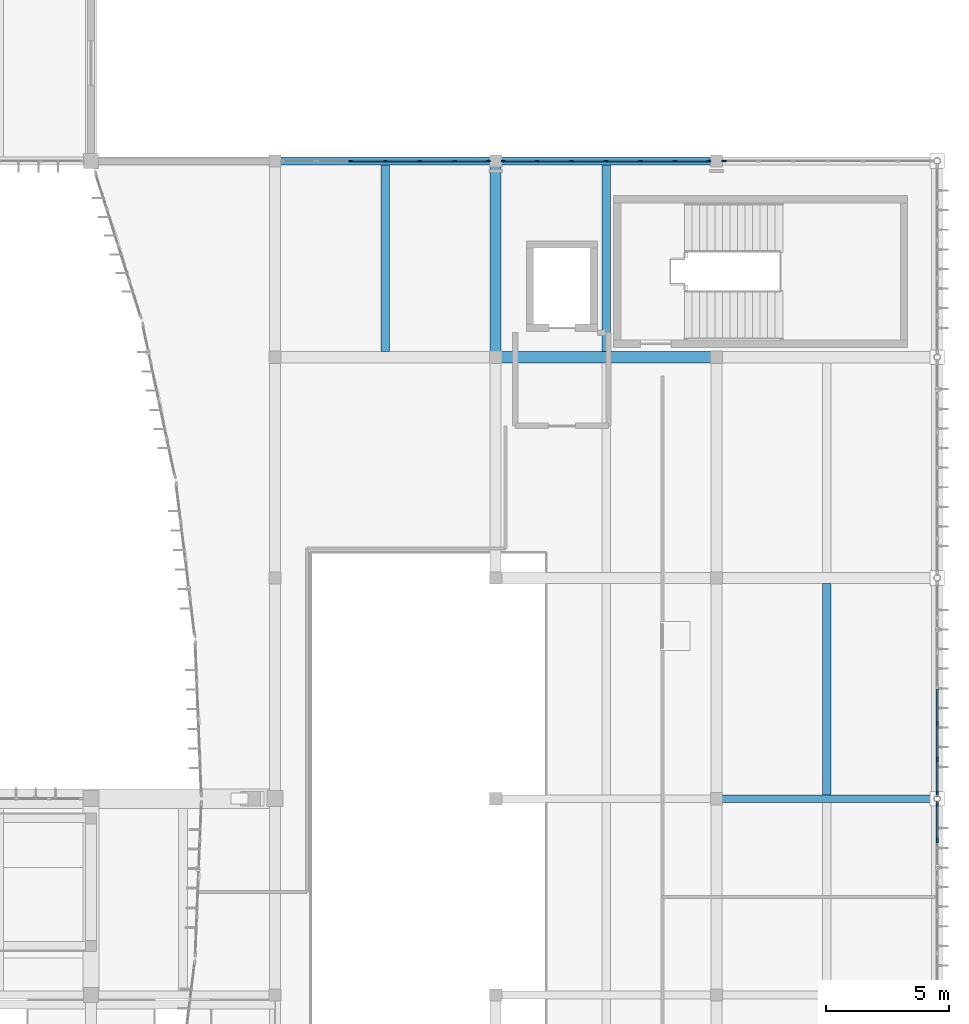
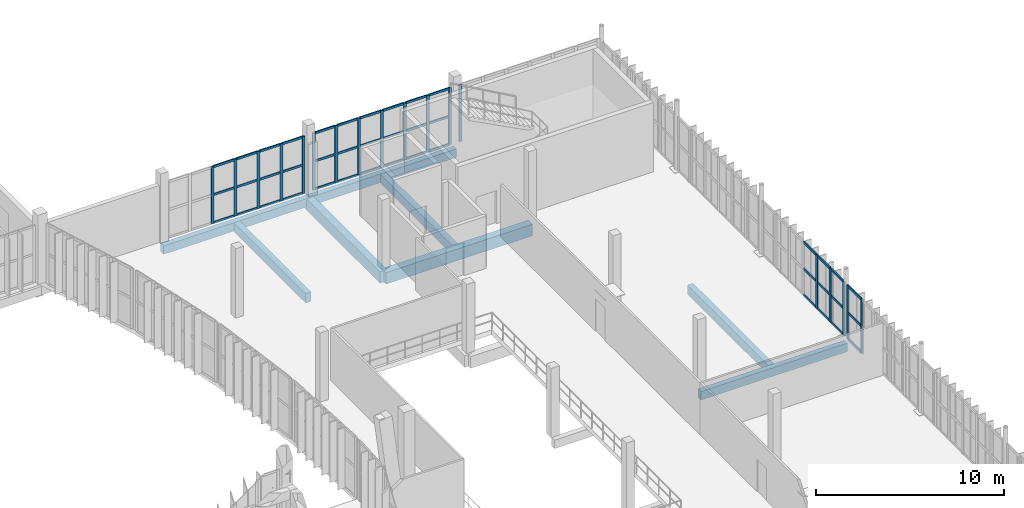
# One storey, part 35 of 81: 60 members, 8 beams, 5 elements without a shape of their own.
"""IFC4 building model written with IfcOpenShell, lengths in metres."""

import ifcopenshell
import ifcopenshell.guid

model = None  # the IFC model being written
_history = None  # IfcOwnerHistory: only IFC2X3 demands one
_inside = {}  # id of a spatial element -> (the spatial element, [elements in it])
_under = {}  # id of a project, library or spatial element -> (it, [spatial elements below it])
_declared = {}  # id of a project -> (the project, [libraries it declares])
_typed = {}  # id of a type object -> (the type object, [elements of that type])
_made_of = {}  # id of a material, layer set ... -> (it, [elements and type objects made of it])


def new_model(schema):
    """Start an empty IFC model of exactly this schema.

    Asked for "IFC4X3", IfcOpenShell would pick the latest addendum, in which some entities
    have other attributes; the version numbers below select the first issue.
    IFC2X3 requires an IfcOwnerHistory on every rooted entity: one is made here for all.
    """
    global model, _history
    if schema == "IFC4X3":
        model = ifcopenshell.file(schema_version=(4, 3, 0, 0))
    else:
        model = ifcopenshell.file(schema=schema)
    _inside.clear()
    _under.clear()
    _declared.clear()
    _typed.clear()
    _made_of.clear()
    _history = None
    if model.schema == "IFC2X3":
        org = make("IfcOrganization", Name="unknown")
        user = make(
            "IfcPersonAndOrganization",
            ThePerson=make("IfcPerson", FamilyName="unknown"),
            TheOrganization=org,
        )
        app = make(
            "IfcApplication",
            ApplicationDeveloper=org,
            Version="unknown",
            ApplicationFullName="unknown",
            ApplicationIdentifier="unknown",
        )
        _history = make(
            "IfcOwnerHistory",
            OwningUser=user,
            OwningApplication=app,
            ChangeAction="ADDED",
            CreationDate=0,
        )
    return model


def make(cls, **values):
    """One entity of the class cls with the attributes given. An attribute that is None is left unset."""
    return model.create_entity(
        cls, **{name: value for name, value in values.items() if value is not None}
    )


def rooted(cls, **values):
    """An entity with a GlobalId (a new one), such as an element, a storey or a relation."""
    return make(cls, GlobalId=ifcopenshell.guid.new(), OwnerHistory=_history, **values)


def si_unit(unit_type, name, prefix=None):
    """IfcSIUnit, for example si_unit("LENGTHUNIT", "METRE", prefix="MILLI")."""
    return make("IfcSIUnit", UnitType=unit_type, Prefix=prefix, Name=name)


def assignment(units):
    """IfcUnitAssignment: the units of a project."""
    return None if units is None else make("IfcUnitAssignment", Units=units)


def point(xyz):
    """IfcCartesianPoint."""
    return None if xyz is None else make("IfcCartesianPoint", Coordinates=xyz)


def direction(xyz):
    """IfcDirection."""
    return None if xyz is None else make("IfcDirection", DirectionRatios=xyz)


def frame(location, z_axis=None, x_axis=None):
    """IfcAxis2Placement3D, a coordinate frame: its origin and axes. An axis left out is left unset."""
    return make(
        "IfcAxis2Placement3D",
        Location=point(location),
        Axis=direction(z_axis),
        RefDirection=direction(x_axis),
    )


def frame_2d(location, x_axis=None):
    """IfcAxis2Placement2D, a coordinate frame in the plane: its origin and x axis."""
    return make(
        "IfcAxis2Placement2D", Location=point(location), RefDirection=direction(x_axis)
    )


def origin():
    """The frame at (0, 0, 0) with its axes left unset."""
    return frame((0.0, 0.0, 0.0))


def origin_2d():
    """The frame at (0, 0) in the plane with its x axis left unset."""
    return frame_2d((0.0, 0.0))


def place(relative_to, where):
    """IfcLocalPlacement: puts the frame where relative to a parent placement (None: the world)."""
    return make(
        "IfcLocalPlacement", PlacementRelTo=relative_to, RelativePlacement=where
    )


def context(
    kind, dimensions, precision=None, world=None, true_north=None, identifier=None
):
    """IfcGeometricRepresentationContext, for example the 3D "Model" context."""
    return make(
        "IfcGeometricRepresentationContext",
        ContextIdentifier=identifier,
        ContextType=kind,
        CoordinateSpaceDimension=dimensions,
        Precision=precision,
        WorldCoordinateSystem=world,
        TrueNorth=true_north,
    )


def subcontext(parent, identifier, kind, view, scale=None):
    """IfcGeometricRepresentationSubContext, for example "Body" below "Model"."""
    return make(
        "IfcGeometricRepresentationSubContext",
        ContextIdentifier=identifier,
        ContextType=kind,
        ParentContext=parent,
        TargetScale=scale,
        TargetView=view,
    )


def project(units=None, contexts=None):
    """IfcProject with its units and contexts."""
    return rooted(
        "IfcProject",
        Name="project",
        RepresentationContexts=contexts,
        UnitsInContext=assignment(units),
    )


def spatial(cls, under=None, at=None, **own):
    """A site, building, storey or space (cls), placed at a placement, below another one or the project."""
    s = rooted(cls, ObjectPlacement=at, **own)
    if under is not None:
        _under.setdefault(under.id(), (under, []))[1].append(s)
    return s


def profile(cls, at=None, kind="AREA", **sizes):
    """A parametric profile (cls). Its sizes go by their IFC names, for example OverallWidth=200.0."""
    return make(cls, ProfileType=kind, Position=at, **sizes)


def rectangle(**sizes):
    """IfcRectangleProfileDef."""
    return profile("IfcRectangleProfileDef", **sizes)


def extrude(swept, where, along, depth):
    """IfcExtrudedAreaSolid: the profile swept, set in the frame where, extruded along a direction by depth."""
    return make(
        "IfcExtrudedAreaSolid",
        SweptArea=swept,
        Position=where,
        ExtrudedDirection=direction(along),
        Depth=depth,
    )


def shape(context_of_items, identifier, shape_type, items):
    """IfcShapeRepresentation: the items that make up one representation, for example the "Body"."""
    return make(
        "IfcShapeRepresentation",
        ContextOfItems=context_of_items,
        RepresentationIdentifier=identifier,
        RepresentationType=shape_type,
        Items=items,
    )


def material(Name=None, Category=None):
    """IfcMaterial."""
    return make("IfcMaterial", Name=Name, Category=Category)


def material_profile(
    of_material, cross_section, Name=None, Category=None, Priority=None
):
    """IfcMaterialProfile: a cross section and its material."""
    return make(
        "IfcMaterialProfile",
        Name=Name,
        Material=of_material,
        Profile=cross_section,
        Priority=Priority,
        Category=Category,
    )


def profile_set(profiles, Name=None, composite=None):
    """IfcMaterialProfileSet."""
    return make(
        "IfcMaterialProfileSet",
        Name=Name,
        MaterialProfiles=profiles,
        CompositeProfile=composite,
    )


def made_of(thing, what):
    """Note that an element or type object is made of a material, layer set ...; save() writes the relation."""
    if what is not None:
        _made_of.setdefault(what.id(), (what, []))[1].append(thing)
    return thing


def type_object(cls, material=None, **own):
    """A type object (cls), such as IfcWallType, which elements share."""
    return made_of(rooted(cls, **own), material)


def element(
    cls,
    number,
    at=None,
    inside=None,
    cuts=None,
    type_object=None,
    material=None,
    context=None,
    identifier="Body",
    shape_type=None,
    held_by="IfcProductDefinitionShape",
    body=None,
    shapes=None,
    **own,
):
    """One element of the class cls, such as IfcWall. Its Tag is "e" and its number.

    at: its placement. inside: the storey or other place that contains it. cuts: it is an
    opening in that element (IfcRelVoidsElement). A single representation is given by context,
    identifier, shape_type and body (its items); several are given by shapes. held_by: the class
    of the entity that holds the representations. save() writes the other relations.
    """
    e = rooted(cls, Tag="e%d" % number, ObjectPlacement=at, **own)
    if body is not None:
        shapes = [shape(context, identifier, shape_type, body)]
    if shapes is not None:
        e.Representation = make(held_by, Representations=shapes)
    if inside is not None:
        _inside.setdefault(inside.id(), (inside, []))[1].append(e)
    if cuts is not None:
        rooted(
            "IfcRelVoidsElement", RelatingBuildingElement=cuts, RelatedOpeningElement=e
        )
    if type_object is not None:
        _typed.setdefault(type_object.id(), (type_object, []))[1].append(e)
    return made_of(e, material)


def aggregate(whole, parts):
    """IfcRelAggregates: a whole, such as a stair, and the parts it consists of."""
    return rooted("IfcRelAggregates", RelatingObject=whole, RelatedObjects=parts)


def save(model, path):
    """Write the relations noted so far, then the file.

    IfcRelAggregates (storeys below a building ...), IfcRelContainedInSpatialStructure (elements
    in a storey), IfcRelDefinesByType, IfcRelAssociatesMaterial and IfcRelDeclares: one each for
    every whole, place, type object, material and project.
    """
    for whole, parts in _under.values():
        aggregate(whole, parts)
    for where, things in _inside.values():
        rooted(
            "IfcRelContainedInSpatialStructure",
            RelatedElements=things,
            RelatingStructure=where,
        )
    for kind, things in _typed.values():
        rooted("IfcRelDefinesByType", RelatedObjects=things, RelatingType=kind)
    for what, things in _made_of.values():
        rooted("IfcRelAssociatesMaterial", RelatedObjects=things, RelatingMaterial=what)
    for by, libraries in _declared.values():
        rooted("IfcRelDeclares", RelatingContext=by, RelatedDefinitions=libraries)
    model.write(path)


model = new_model("IFC4")

# Units and contexts
model_context = context("Model", 3, precision=1e-05, world=origin(), true_north=direction((0.0, 1.0)))
body_context = subcontext(model_context, "Body", "Model", "MODEL_VIEW")
ifc_project = project(units=[si_unit("LENGTHUNIT", "METRE"), si_unit("AREAUNIT", "SQUARE_METRE"), si_unit("VOLUMEUNIT", "CUBIC_METRE"), si_unit("PLANEANGLEUNIT", "RADIAN"), si_unit("MASSUNIT", "GRAM", prefix="KILO")], contexts=[model_context])

# Site, building, storey
site_placement = place(None, origin())
site = spatial("IfcSite", under=ifc_project, at=site_placement, CompositionType="ELEMENT")
building_placement = place(site_placement, origin())
building = spatial("IfcBuilding", under=site, at=building_placement, Name="Vourika Railside Aquatics Centre", CompositionType="ELEMENT")
storey_placement = place(building_placement, frame((0.0, 0.0, 4.800048828125)))
storey = spatial("IfcBuildingStorey", under=building, at=storey_placement, Name="L01", CompositionType="ELEMENT", Elevation=4.800048828125)

# Beams
ifc_material_1 = material(Name="Concrete C35/45", Category="concrete")
ifc_material_profile_1 = material_profile(ifc_material_1, rectangle(XDim=0.449951171875, YDim=0.75, at=origin_2d()), Name="RC 450x750")
ifc_profile_set_1 = profile_set([ifc_material_profile_1], Name="Concrete C35/45")
beam_type_1 = type_object("IfcBeamType", Name="BM-GIRD-450x750", PredefinedType="BEAM", material=ifc_profile_set_1)
beam_1_placement = place(storey_placement, frame((150.0, 84.0, -0.675048828125), z_axis=(1.0, 0.0, 0.0), x_axis=(0.0, 1.0, 0.0)))
element("IfcBeam", 1, at=beam_1_placement, inside=storey, type_object=beam_type_1, Name="Floor Beam GX-L01-103", PredefinedType="BEAM", context=body_context, shape_type="SweptSolid", body=[
    extrude(rectangle(XDim=0.449951171875, YDim=0.75, at=origin_2d()), origin(), (0.0, 0.0, 1.0), 9.0),
])
beam_2_placement = place(storey_placement, frame((150.0, 84.0, -0.675048828125), z_axis=(0.0, 1.0, 0.0), x_axis=(-1.0, 0.0, 0.0)))
element("IfcBeam", 2, at=beam_2_placement, inside=storey, type_object=beam_type_1, Name="Floor Girder GY-L01-286", PredefinedType="BEAM", context=body_context, shape_type="SweptSolid", body=[
    extrude(rectangle(XDim=0.449951171875, YDim=0.75, at=origin_2d()), origin(), (0.0, 0.0, 1.0), 8.0),
])
ifc_material_profile_2 = material_profile(ifc_material_1, rectangle(XDim=0.35009765625, YDim=0.60009765625, at=origin_2d()), Name="RC 350x600")
ifc_profile_set_2 = profile_set([ifc_material_profile_2], Name="Concrete C35/45")
beam_type_2 = type_object("IfcBeamType", Name="BM-SEC-350x600", PredefinedType="JOIST", material=ifc_profile_set_2)
beam_3_placement = place(storey_placement, frame((163.5, 66.159912109375, -0.60009765625), z_axis=(0.0, 1.0, 0.0), x_axis=(-1.0, 0.0, 0.0)))
element("IfcBeam", 3, at=beam_3_placement, inside=storey, type_object=beam_type_2, Name="Secondary Joist JY-L01-342", PredefinedType="JOIST", context=body_context, shape_type="SweptSolid", body=[
    extrude(rectangle(XDim=0.35009765625, YDim=0.60009765625, at=origin_2d()), origin(), (0.0, 0.0, 1.0), 8.614990234375),
])
for number, where, z_axis, x_axis, name in (
    (4, (145.5, 84.22509765625, -0.60009765625), (0.0, 1.0, 0.0), (-1.0, 0.0, 0.0), "Secondary Joist JY-L01-349"),
    (5, (154.5, 84.22509765625, -0.60009765625), (0.0, 1.0, 0.0), (-1.0, 0.0, 0.0), "Secondary Joist JY-L01-350"),
):
    element("IfcBeam", number, at=place(storey_placement, frame(where, z_axis=z_axis, x_axis=x_axis)), inside=storey, type_object=beam_type_2, Name=name, PredefinedType="JOIST", context=body_context, shape_type="SweptSolid", body=[
        extrude(rectangle(XDim=0.35009765625, YDim=0.60009765625, at=origin_2d()), origin(), (0.0, 0.0, 1.0), 7.614990234375),
    ])
ifc_material_profile_3 = material_profile(ifc_material_1, rectangle(XDim=0.320068359375, YDim=0.550048828125, at=origin_2d()), Name="RC 320x550")
ifc_profile_set_3 = profile_set([ifc_material_profile_3], Name="Concrete C35/45")
beam_type_3 = type_object("IfcBeamType", Name="BM-SPAN-320x550", PredefinedType="SPANDREL", material=ifc_profile_set_3)
for number, where, z_axis, x_axis, name in (
    (6, (159.0, 66.0, -0.574951171875), (1.0, 0.0, 0.0), (0.0, 1.0, 0.0), "Floor Beam GX-L01-095"),
    (7, (141.0, 92.0, -0.574951171875), (1.0, 0.0, 0.0), (0.0, 1.0, 0.0), "Floor Beam GX-L01-121"),
    (8, (150.0, 92.0, -0.574951171875), (1.0, 0.0, 0.0), (0.0, 1.0, 0.0), "Floor Beam GX-L01-122"),
):
    element("IfcBeam", number, at=place(storey_placement, frame(where, z_axis=z_axis, x_axis=x_axis)), inside=storey, type_object=beam_type_3, Name=name, PredefinedType="SPANDREL", context=body_context, shape_type="SweptSolid", body=[
        extrude(rectangle(XDim=0.320068359375, YDim=0.550048828125, at=origin_2d()), origin(), (0.0, 0.0, 1.0), 9.0),
    ])

# Curtain wall, members
ifc_material_2 = material(Name="Anodized thermally broken aluminium", Category="aluminium")
curtain_wall_type_1 = type_object("IfcCurtainWallType", Name="CW-FOYE", PredefinedType="NOTDEFINED", material=ifc_material_2)
curtain_wall_1_placement = place(storey_placement, origin())
curtain_wall_1 = element("IfcCurtainWall", 9, at=curtain_wall_1_placement, inside=storey, type_object=curtain_wall_type_1, Name="East Arrival Facade Curtain Wall L01-3", PredefinedType="NOTDEFINED")
ifc_material_3 = material(Name="Anodized aluminium mullion", Category="aluminium")
ifc_material_profile_4 = material_profile(ifc_material_3, rectangle(XDim=0.074951171875, YDim=0.199951171875, at=origin_2d()), Name="ALU-M 75x200")
ifc_profile_set_4 = profile_set([ifc_material_profile_4], Name="Anodized aluminium mullion")
member_type_1 = type_object("IfcMemberType", Name="CWM-FOYE", PredefinedType="MULLION", material=ifc_profile_set_4)
member_1_placement = place(storey_placement, frame((168.0, 64.300048828125, 0.0), z_axis=(0.0, 0.0, 1.0), x_axis=(-1.0, 0.0, 0.0)))
member_1 = element("IfcMember", 10, at=member_1_placement, type_object=member_type_1, Name="CW10 mullion 5", PredefinedType="MULLION", context=body_context, shape_type="SweptSolid", body=[
    extrude(rectangle(XDim=0.074951171875, YDim=0.199951171875, at=origin_2d()), origin(), (0.0, 0.0, 1.0), 3.5),
])
member_2_placement = place(storey_placement, frame((168.0, 65.7958984375, 0.0), z_axis=(0.0, 0.0, 1.0), x_axis=(-1.0, 0.0, 0.0)))
member_2 = element("IfcMember", 11, at=member_2_placement, type_object=member_type_1, Name="CW10 mullion 6", PredefinedType="MULLION", context=body_context, shape_type="SweptSolid", body=[
    extrude(rectangle(XDim=0.074951171875, YDim=0.199951171875, at=origin_2d()), origin(), (0.0, 0.0, 1.0), 3.5),
])

curtain_wall_2_placement = place(storey_placement, origin())
curtain_wall_2 = element("IfcCurtainWall", 12, at=curtain_wall_2_placement, inside=storey, type_object=curtain_wall_type_1, Name="East Arrival Facade Curtain Wall L01-4", PredefinedType="NOTDEFINED")
member_3_placement = place(storey_placement, frame((168.0, 66.2041015625, 0.0), z_axis=(0.0, 0.0, 1.0), x_axis=(-1.0, 0.0, 0.0)))
member_3 = element("IfcMember", 13, at=member_3_placement, type_object=member_type_1, Name="CW10 mullion 1", PredefinedType="MULLION", context=body_context, shape_type="SweptSolid", body=[
    extrude(rectangle(XDim=0.074951171875, YDim=0.199951171875, at=origin_2d()), origin(), (0.0, 0.0, 1.0), 3.5),
])
member_4_placement = place(storey_placement, frame((168.0, 67.611083984375, 0.0), z_axis=(0.0, 0.0, 1.0), x_axis=(-1.0, 0.0, 0.0)))
member_4 = element("IfcMember", 14, at=member_4_placement, type_object=member_type_1, Name="CW10 mullion 2", PredefinedType="MULLION", context=body_context, shape_type="SweptSolid", body=[
    extrude(rectangle(XDim=0.074951171875, YDim=0.199951171875, at=origin_2d()), origin(), (0.0, 0.0, 1.0), 3.5),
])
member_5_placement = place(storey_placement, frame((168.0, 69.055419921875, 0.0), z_axis=(0.0, 0.0, 1.0), x_axis=(-1.0, 0.0, 0.0)))
member_5 = element("IfcMember", 15, at=member_5_placement, type_object=member_type_1, Name="CW10 mullion 3", PredefinedType="MULLION", context=body_context, shape_type="SweptSolid", body=[
    extrude(rectangle(XDim=0.074951171875, YDim=0.199951171875, at=origin_2d()), origin(), (0.0, 0.0, 1.0), 3.5),
])

curtain_wall_type_2 = type_object("IfcCurtainWallType", Name="CW-FOYS", PredefinedType="NOTDEFINED", material=ifc_material_2)
curtain_wall_3_placement = place(storey_placement, origin())
curtain_wall_3 = element("IfcCurtainWall", 16, at=curtain_wall_3_placement, inside=storey, type_object=curtain_wall_type_2, Name="Foyer North Glazed Facade L01-1", PredefinedType="NOTDEFINED")
ifc_material_profile_5 = material_profile(ifc_material_3, rectangle(XDim=0.072021484375, YDim=0.181884765625, at=origin_2d()), Name="ALU-M 72x182")
ifc_profile_set_5 = profile_set([ifc_material_profile_5], Name="Anodized aluminium mullion")
member_type_2 = type_object("IfcMemberType", Name="CWM-FOYS", PredefinedType="MULLION", material=ifc_profile_set_5)
member_6_placement = place(storey_placement, frame((149.68408203125, 92.0, 0.0), z_axis=(0.0, 0.0, 1.0), x_axis=(0.0, -1.0, 0.0)))
member_6 = element("IfcMember", 17, at=member_6_placement, type_object=member_type_2, Name="CW11 mullion 1", PredefinedType="MULLION", context=body_context, shape_type="SweptSolid", body=[
    extrude(rectangle(XDim=0.072021484375, YDim=0.181884765625, at=origin_2d()), origin(), (0.0, 0.0, 1.0), 3.699951171875),
])
member_7_placement = place(storey_placement, frame((148.313232421875, 92.0, 0.0), z_axis=(0.0, 0.0, 1.0), x_axis=(0.0, -1.0, 0.0)))
member_7 = element("IfcMember", 18, at=member_7_placement, type_object=member_type_2, Name="CW11 mullion 2", PredefinedType="MULLION", context=body_context, shape_type="SweptSolid", body=[
    extrude(rectangle(XDim=0.072021484375, YDim=0.181884765625, at=origin_2d()), origin(), (0.0, 0.0, 1.0), 3.699951171875),
])
member_8_placement = place(storey_placement, frame((146.90673828125, 92.0, 0.0), z_axis=(0.0, 0.0, 1.0), x_axis=(0.0, -1.0, 0.0)))
member_8 = element("IfcMember", 19, at=member_8_placement, type_object=member_type_2, Name="CW11 mullion 3", PredefinedType="MULLION", context=body_context, shape_type="SweptSolid", body=[
    extrude(rectangle(XDim=0.072021484375, YDim=0.181884765625, at=origin_2d()), origin(), (0.0, 0.0, 1.0), 3.699951171875),
])
member_9_placement = place(storey_placement, frame((145.5, 92.0, 0.0), z_axis=(0.0, 0.0, 1.0), x_axis=(0.0, -1.0, 0.0)))
member_9 = element("IfcMember", 20, at=member_9_placement, type_object=member_type_2, Name="CW11 mullion 4", PredefinedType="MULLION", context=body_context, shape_type="SweptSolid", body=[
    extrude(rectangle(XDim=0.072021484375, YDim=0.181884765625, at=origin_2d()), origin(), (0.0, 0.0, 1.0), 3.699951171875),
])
member_10_placement = place(storey_placement, frame((144.09326171875, 92.0, 0.0), z_axis=(0.0, 0.0, 1.0), x_axis=(0.0, -1.0, 0.0)))
member_10 = element("IfcMember", 21, at=member_10_placement, type_object=member_type_2, Name="CW11 mullion 5", PredefinedType="MULLION", context=body_context, shape_type="SweptSolid", body=[
    extrude(rectangle(XDim=0.072021484375, YDim=0.181884765625, at=origin_2d()), origin(), (0.0, 0.0, 1.0), 3.699951171875),
])

curtain_wall_4_placement = place(storey_placement, origin())
curtain_wall_4 = element("IfcCurtainWall", 22, at=curtain_wall_4_placement, inside=storey, type_object=curtain_wall_type_2, Name="Foyer North Glazed Facade L01-2", PredefinedType="NOTDEFINED")
member_11_placement = place(storey_placement, frame((158.68408203125, 92.0, 0.0), z_axis=(0.0, 0.0, 1.0), x_axis=(0.0, -1.0, 0.0)))
member_11 = element("IfcMember", 23, at=member_11_placement, type_object=member_type_2, Name="CW11 mullion 1", PredefinedType="MULLION", context=body_context, shape_type="SweptSolid", body=[
    extrude(rectangle(XDim=0.072021484375, YDim=0.181884765625, at=origin_2d()), origin(), (0.0, 0.0, 1.0), 3.699951171875),
])
member_12_placement = place(storey_placement, frame((157.313232421875, 92.0, 0.0), z_axis=(0.0, 0.0, 1.0), x_axis=(0.0, -1.0, 0.0)))
member_12 = element("IfcMember", 24, at=member_12_placement, type_object=member_type_2, Name="CW11 mullion 2", PredefinedType="MULLION", context=body_context, shape_type="SweptSolid", body=[
    extrude(rectangle(XDim=0.072021484375, YDim=0.181884765625, at=origin_2d()), origin(), (0.0, 0.0, 1.0), 3.699951171875),
])
member_13_placement = place(storey_placement, frame((155.90673828125, 92.0, 0.0), z_axis=(0.0, 0.0, 1.0), x_axis=(0.0, -1.0, 0.0)))
member_13 = element("IfcMember", 25, at=member_13_placement, type_object=member_type_2, Name="CW11 mullion 3", PredefinedType="MULLION", context=body_context, shape_type="SweptSolid", body=[
    extrude(rectangle(XDim=0.072021484375, YDim=0.181884765625, at=origin_2d()), origin(), (0.0, 0.0, 1.0), 3.699951171875),
])
member_14_placement = place(storey_placement, frame((154.5, 92.0, 0.0), z_axis=(0.0, 0.0, 1.0), x_axis=(0.0, -1.0, 0.0)))
member_14 = element("IfcMember", 26, at=member_14_placement, type_object=member_type_2, Name="CW11 mullion 4", PredefinedType="MULLION", context=body_context, shape_type="SweptSolid", body=[
    extrude(rectangle(XDim=0.072021484375, YDim=0.181884765625, at=origin_2d()), origin(), (0.0, 0.0, 1.0), 3.699951171875),
])
member_15_placement = place(storey_placement, frame((153.09326171875, 92.0, 0.0), z_axis=(0.0, 0.0, 1.0), x_axis=(0.0, -1.0, 0.0)))
member_15 = element("IfcMember", 27, at=member_15_placement, type_object=member_type_2, Name="CW11 mullion 5", PredefinedType="MULLION", context=body_context, shape_type="SweptSolid", body=[
    extrude(rectangle(XDim=0.072021484375, YDim=0.181884765625, at=origin_2d()), origin(), (0.0, 0.0, 1.0), 3.699951171875),
])
member_16_placement = place(storey_placement, frame((151.686767578125, 92.0, 0.0), z_axis=(0.0, 0.0, 1.0), x_axis=(0.0, -1.0, 0.0)))
member_16 = element("IfcMember", 28, at=member_16_placement, type_object=member_type_2, Name="CW11 mullion 6", PredefinedType="MULLION", context=body_context, shape_type="SweptSolid", body=[
    extrude(rectangle(XDim=0.072021484375, YDim=0.181884765625, at=origin_2d()), origin(), (0.0, 0.0, 1.0), 3.699951171875),
])
member_17_placement = place(storey_placement, frame((150.31591796875, 92.0, 0.0), z_axis=(0.0, 0.0, 1.0), x_axis=(0.0, -1.0, 0.0)))
member_17 = element("IfcMember", 29, at=member_17_placement, type_object=member_type_2, Name="CW11 mullion 7", PredefinedType="MULLION", context=body_context, shape_type="SweptSolid", body=[
    extrude(rectangle(XDim=0.072021484375, YDim=0.181884765625, at=origin_2d()), origin(), (0.0, 0.0, 1.0), 3.699951171875),
])

# Curtain wall, member
curtain_wall_5_placement = place(storey_placement, origin())
curtain_wall_5 = element("IfcCurtainWall", 30, at=curtain_wall_5_placement, inside=storey, type_object=curtain_wall_type_2, Name="Foyer North Glazed Facade L01-3", PredefinedType="NOTDEFINED")
member_18_placement = place(storey_placement, frame((159.31591796875, 92.0, 0.0), z_axis=(0.0, 0.0, 1.0), x_axis=(0.0, -1.0, 0.0)))
member_18 = element("IfcMember", 31, at=member_18_placement, type_object=member_type_2, Name="CW11 mullion 7", PredefinedType="MULLION", context=body_context, shape_type="SweptSolid", body=[
    extrude(rectangle(XDim=0.072021484375, YDim=0.181884765625, at=origin_2d()), origin(), (0.0, 0.0, 1.0), 3.699951171875),
])
aggregate(curtain_wall_5, [member_18])

# Member
ifc_material_4 = material(Name="Anodized aluminium transom", Category="aluminium")
ifc_material_profile_6 = material_profile(ifc_material_4, rectangle(XDim=0.074951171875, YDim=0.157958984375, at=origin_2d()), Name="ALU-T 75x158")
ifc_profile_set_6 = profile_set([ifc_material_profile_6], Name="Anodized aluminium transom")
member_type_3 = type_object("IfcMemberType", Name="CWT-FOYE", PredefinedType="USERDEFINED", material=ifc_profile_set_6)
member_19_placement = place(storey_placement, frame((168.0, 64.337646484375, 0.037353515625), z_axis=(0.0, 1.0, 0.0), x_axis=(-1.0, 0.0, 0.0)))
member_19 = element("IfcMember", 32, at=member_19_placement, type_object=member_type_3, Name="CW10 transom 5.1", ObjectType="TRANSOM", PredefinedType="USERDEFINED", context=body_context, shape_type="SweptSolid", body=[
    extrude(rectangle(XDim=0.074951171875, YDim=0.157958984375, at=origin_2d()), origin(), (0.0, 0.0, 1.0), 1.4208984375),
])

member_20_placement = place(storey_placement, frame((168.0, 64.337646484375, 1.75), z_axis=(0.0, 1.0, 0.0), x_axis=(-1.0, 0.0, 0.0)))
member_20 = element("IfcMember", 33, at=member_20_placement, type_object=member_type_3, Name="CW10 transom 5.2", ObjectType="TRANSOM", PredefinedType="USERDEFINED", context=body_context, shape_type="SweptSolid", body=[
    extrude(rectangle(XDim=0.074951171875, YDim=0.157958984375, at=origin_2d()), origin(), (0.0, 0.0, 1.0), 1.4208984375),
])

member_21_placement = place(storey_placement, frame((168.0, 64.337646484375, 3.46240234375), z_axis=(0.0, 1.0, 0.0), x_axis=(-1.0, 0.0, 0.0)))
member_21 = element("IfcMember", 34, at=member_21_placement, type_object=member_type_3, Name="CW10 transom 5.3", ObjectType="TRANSOM", PredefinedType="USERDEFINED", context=body_context, shape_type="SweptSolid", body=[
    extrude(rectangle(XDim=0.074951171875, YDim=0.157958984375, at=origin_2d()), origin(), (0.0, 0.0, 1.0), 1.4208984375),
])

aggregate(curtain_wall_1, [member_1, member_2, member_19, member_20, member_21])

member_22_placement = place(storey_placement, frame((168.0, 66.241455078125, 0.037353515625), z_axis=(0.0, 1.0, 0.0), x_axis=(-1.0, 0.0, 0.0)))
member_22 = element("IfcMember", 35, at=member_22_placement, type_object=member_type_3, Name="CW10 transom 1.1", ObjectType="TRANSOM", PredefinedType="USERDEFINED", context=body_context, shape_type="SweptSolid", body=[
    extrude(rectangle(XDim=0.074951171875, YDim=0.157958984375, at=origin_2d()), origin(), (0.0, 0.0, 1.0), 1.33203125),
])

member_23_placement = place(storey_placement, frame((168.0, 66.241455078125, 1.75), z_axis=(0.0, 1.0, 0.0), x_axis=(-1.0, 0.0, 0.0)))
member_23 = element("IfcMember", 36, at=member_23_placement, type_object=member_type_3, Name="CW10 transom 1.2", ObjectType="TRANSOM", PredefinedType="USERDEFINED", context=body_context, shape_type="SweptSolid", body=[
    extrude(rectangle(XDim=0.074951171875, YDim=0.157958984375, at=origin_2d()), origin(), (0.0, 0.0, 1.0), 1.33203125),
])

member_24_placement = place(storey_placement, frame((168.0, 66.241455078125, 3.46240234375), z_axis=(0.0, 1.0, 0.0), x_axis=(-1.0, 0.0, 0.0)))
member_24 = element("IfcMember", 37, at=member_24_placement, type_object=member_type_3, Name="CW10 transom 1.3", ObjectType="TRANSOM", PredefinedType="USERDEFINED", context=body_context, shape_type="SweptSolid", body=[
    extrude(rectangle(XDim=0.074951171875, YDim=0.157958984375, at=origin_2d()), origin(), (0.0, 0.0, 1.0), 1.33203125),
])

member_25_placement = place(storey_placement, frame((168.0, 67.6484375, 0.037353515625), z_axis=(0.0, 1.0, 0.0), x_axis=(-1.0, 0.0, 0.0)))
member_25 = element("IfcMember", 38, at=member_25_placement, type_object=member_type_3, Name="CW10 transom 2.1", ObjectType="TRANSOM", PredefinedType="USERDEFINED", context=body_context, shape_type="SweptSolid", body=[
    extrude(rectangle(XDim=0.074951171875, YDim=0.157958984375, at=origin_2d()), origin(), (0.0, 0.0, 1.0), 1.36962890625),
])

member_26_placement = place(storey_placement, frame((168.0, 67.6484375, 1.75), z_axis=(0.0, 1.0, 0.0), x_axis=(-1.0, 0.0, 0.0)))
member_26 = element("IfcMember", 39, at=member_26_placement, type_object=member_type_3, Name="CW10 transom 2.2", ObjectType="TRANSOM", PredefinedType="USERDEFINED", context=body_context, shape_type="SweptSolid", body=[
    extrude(rectangle(XDim=0.074951171875, YDim=0.157958984375, at=origin_2d()), origin(), (0.0, 0.0, 1.0), 1.36962890625),
])

member_27_placement = place(storey_placement, frame((168.0, 67.6484375, 3.46240234375), z_axis=(0.0, 1.0, 0.0), x_axis=(-1.0, 0.0, 0.0)))
member_27 = element("IfcMember", 40, at=member_27_placement, type_object=member_type_3, Name="CW10 transom 2.3", ObjectType="TRANSOM", PredefinedType="USERDEFINED", context=body_context, shape_type="SweptSolid", body=[
    extrude(rectangle(XDim=0.074951171875, YDim=0.157958984375, at=origin_2d()), origin(), (0.0, 0.0, 1.0), 1.36962890625),
])

member_28_placement = place(storey_placement, frame((168.0, 69.093017578125, 0.037353515625), z_axis=(0.0, 1.0, 0.0), x_axis=(-1.0, 0.0, 0.0)))
member_28 = element("IfcMember", 41, at=member_28_placement, type_object=member_type_3, Name="CW10 transom 3.1", ObjectType="TRANSOM", PredefinedType="USERDEFINED", context=body_context, shape_type="SweptSolid", body=[
    extrude(rectangle(XDim=0.074951171875, YDim=0.157958984375, at=origin_2d()), origin(), (0.0, 0.0, 1.0), 1.369384765625),
])

member_29_placement = place(storey_placement, frame((168.0, 69.093017578125, 1.75), z_axis=(0.0, 1.0, 0.0), x_axis=(-1.0, 0.0, 0.0)))
member_29 = element("IfcMember", 42, at=member_29_placement, type_object=member_type_3, Name="CW10 transom 3.2", ObjectType="TRANSOM", PredefinedType="USERDEFINED", context=body_context, shape_type="SweptSolid", body=[
    extrude(rectangle(XDim=0.074951171875, YDim=0.157958984375, at=origin_2d()), origin(), (0.0, 0.0, 1.0), 1.369384765625),
])

member_30_placement = place(storey_placement, frame((168.0, 69.093017578125, 3.46240234375), z_axis=(0.0, 1.0, 0.0), x_axis=(-1.0, 0.0, 0.0)))
member_30 = element("IfcMember", 43, at=member_30_placement, type_object=member_type_3, Name="CW10 transom 3.3", ObjectType="TRANSOM", PredefinedType="USERDEFINED", context=body_context, shape_type="SweptSolid", body=[
    extrude(rectangle(XDim=0.074951171875, YDim=0.157958984375, at=origin_2d()), origin(), (0.0, 0.0, 1.0), 1.369384765625),
])

aggregate(curtain_wall_2, [member_3, member_4, member_5, member_22, member_23, member_24, member_25, member_26, member_27, member_28, member_29, member_30])

ifc_material_profile_7 = material_profile(ifc_material_4, rectangle(XDim=0.072021484375, YDim=0.14404296875, at=origin_2d()), Name="ALU-T 72x144")
ifc_profile_set_7 = profile_set([ifc_material_profile_7], Name="Anodized aluminium transom")
member_type_4 = type_object("IfcMemberType", Name="CWT-FOYS", PredefinedType="USERDEFINED", material=ifc_profile_set_7)
member_31_placement = place(storey_placement, frame((149.64794921875, 92.0, 0.035888671875), z_axis=(-1.0, 0.0, 0.0), x_axis=(0.0, -1.0, 0.0)))
member_31 = element("IfcMember", 44, at=member_31_placement, type_object=member_type_4, Name="CW11 transom 1.1", ObjectType="TRANSOM", PredefinedType="USERDEFINED", context=body_context, shape_type="SweptSolid", body=[
    extrude(rectangle(XDim=0.072021484375, YDim=0.14404296875, at=origin_2d()), origin(), (0.0, 0.0, 1.0), 1.298583984375),
])

member_32_placement = place(storey_placement, frame((149.64794921875, 92.0, 1.849853515625), z_axis=(-1.0, 0.0, 0.0), x_axis=(0.0, -1.0, 0.0)))
member_32 = element("IfcMember", 45, at=member_32_placement, type_object=member_type_4, Name="CW11 transom 1.2", ObjectType="TRANSOM", PredefinedType="USERDEFINED", context=body_context, shape_type="SweptSolid", body=[
    extrude(rectangle(XDim=0.072021484375, YDim=0.14404296875, at=origin_2d()), origin(), (0.0, 0.0, 1.0), 1.298583984375),
])

member_33_placement = place(storey_placement, frame((149.64794921875, 92.0, 3.6640625), z_axis=(-1.0, 0.0, 0.0), x_axis=(0.0, -1.0, 0.0)))
member_33 = element("IfcMember", 46, at=member_33_placement, type_object=member_type_4, Name="CW11 transom 1.3", ObjectType="TRANSOM", PredefinedType="USERDEFINED", context=body_context, shape_type="SweptSolid", body=[
    extrude(rectangle(XDim=0.072021484375, YDim=0.14404296875, at=origin_2d()), origin(), (0.0, 0.0, 1.0), 1.298583984375),
])

member_34_placement = place(storey_placement, frame((148.27734375, 92.0, 0.035888671875), z_axis=(-1.0, 0.0, 0.0), x_axis=(0.0, -1.0, 0.0)))
member_34 = element("IfcMember", 47, at=member_34_placement, type_object=member_type_4, Name="CW11 transom 2.1", ObjectType="TRANSOM", PredefinedType="USERDEFINED", context=body_context, shape_type="SweptSolid", body=[
    extrude(rectangle(XDim=0.072021484375, YDim=0.14404296875, at=origin_2d()), origin(), (0.0, 0.0, 1.0), 1.334716796875),
])

member_35_placement = place(storey_placement, frame((148.27734375, 92.0, 1.849853515625), z_axis=(-1.0, 0.0, 0.0), x_axis=(0.0, -1.0, 0.0)))
member_35 = element("IfcMember", 48, at=member_35_placement, type_object=member_type_4, Name="CW11 transom 2.2", ObjectType="TRANSOM", PredefinedType="USERDEFINED", context=body_context, shape_type="SweptSolid", body=[
    extrude(rectangle(XDim=0.072021484375, YDim=0.14404296875, at=origin_2d()), origin(), (0.0, 0.0, 1.0), 1.334716796875),
])

member_36_placement = place(storey_placement, frame((148.27734375, 92.0, 3.6640625), z_axis=(-1.0, 0.0, 0.0), x_axis=(0.0, -1.0, 0.0)))
member_36 = element("IfcMember", 49, at=member_36_placement, type_object=member_type_4, Name="CW11 transom 2.3", ObjectType="TRANSOM", PredefinedType="USERDEFINED", context=body_context, shape_type="SweptSolid", body=[
    extrude(rectangle(XDim=0.072021484375, YDim=0.14404296875, at=origin_2d()), origin(), (0.0, 0.0, 1.0), 1.334716796875),
])

member_37_placement = place(storey_placement, frame((146.87060546875, 92.0, 0.035888671875), z_axis=(-1.0, 0.0, 0.0), x_axis=(0.0, -1.0, 0.0)))
member_37 = element("IfcMember", 50, at=member_37_placement, type_object=member_type_4, Name="CW11 transom 3.1", ObjectType="TRANSOM", PredefinedType="USERDEFINED", context=body_context, shape_type="SweptSolid", body=[
    extrude(rectangle(XDim=0.072021484375, YDim=0.14404296875, at=origin_2d()), origin(), (0.0, 0.0, 1.0), 1.334716796875),
])

member_38_placement = place(storey_placement, frame((146.87060546875, 92.0, 1.849853515625), z_axis=(-1.0, 0.0, 0.0), x_axis=(0.0, -1.0, 0.0)))
member_38 = element("IfcMember", 51, at=member_38_placement, type_object=member_type_4, Name="CW11 transom 3.2", ObjectType="TRANSOM", PredefinedType="USERDEFINED", context=body_context, shape_type="SweptSolid", body=[
    extrude(rectangle(XDim=0.072021484375, YDim=0.14404296875, at=origin_2d()), origin(), (0.0, 0.0, 1.0), 1.334716796875),
])

member_39_placement = place(storey_placement, frame((146.87060546875, 92.0, 3.6640625), z_axis=(-1.0, 0.0, 0.0), x_axis=(0.0, -1.0, 0.0)))
member_39 = element("IfcMember", 52, at=member_39_placement, type_object=member_type_4, Name="CW11 transom 3.3", ObjectType="TRANSOM", PredefinedType="USERDEFINED", context=body_context, shape_type="SweptSolid", body=[
    extrude(rectangle(XDim=0.072021484375, YDim=0.14404296875, at=origin_2d()), origin(), (0.0, 0.0, 1.0), 1.334716796875),
])

member_40_placement = place(storey_placement, frame((145.464111328125, 92.0, 0.035888671875), z_axis=(-1.0, 0.0, 0.0), x_axis=(0.0, -1.0, 0.0)))
member_40 = element("IfcMember", 53, at=member_40_placement, type_object=member_type_4, Name="CW11 transom 4.1", ObjectType="TRANSOM", PredefinedType="USERDEFINED", context=body_context, shape_type="SweptSolid", body=[
    extrude(rectangle(XDim=0.072021484375, YDim=0.14404296875, at=origin_2d()), origin(), (0.0, 0.0, 1.0), 1.334716796875),
])

member_41_placement = place(storey_placement, frame((145.464111328125, 92.0, 1.849853515625), z_axis=(-1.0, 0.0, 0.0), x_axis=(0.0, -1.0, 0.0)))
member_41 = element("IfcMember", 54, at=member_41_placement, type_object=member_type_4, Name="CW11 transom 4.2", ObjectType="TRANSOM", PredefinedType="USERDEFINED", context=body_context, shape_type="SweptSolid", body=[
    extrude(rectangle(XDim=0.072021484375, YDim=0.14404296875, at=origin_2d()), origin(), (0.0, 0.0, 1.0), 1.334716796875),
])

member_42_placement = place(storey_placement, frame((145.464111328125, 92.0, 3.6640625), z_axis=(-1.0, 0.0, 0.0), x_axis=(0.0, -1.0, 0.0)))
member_42 = element("IfcMember", 55, at=member_42_placement, type_object=member_type_4, Name="CW11 transom 4.3", ObjectType="TRANSOM", PredefinedType="USERDEFINED", context=body_context, shape_type="SweptSolid", body=[
    extrude(rectangle(XDim=0.072021484375, YDim=0.14404296875, at=origin_2d()), origin(), (0.0, 0.0, 1.0), 1.334716796875),
])

aggregate(curtain_wall_3, [member_6, member_7, member_8, member_9, member_10, member_31, member_32, member_33, member_34, member_35, member_36, member_37, member_38, member_39, member_40, member_41, member_42])

member_43_placement = place(storey_placement, frame((158.64794921875, 92.0, 0.035888671875), z_axis=(-1.0, 0.0, 0.0), x_axis=(0.0, -1.0, 0.0)))
member_43 = element("IfcMember", 56, at=member_43_placement, type_object=member_type_4, Name="CW11 transom 1.1", ObjectType="TRANSOM", PredefinedType="USERDEFINED", context=body_context, shape_type="SweptSolid", body=[
    extrude(rectangle(XDim=0.072021484375, YDim=0.14404296875, at=origin_2d()), origin(), (0.0, 0.0, 1.0), 1.298583984375),
])

member_44_placement = place(storey_placement, frame((158.64794921875, 92.0, 1.849853515625), z_axis=(-1.0, 0.0, 0.0), x_axis=(0.0, -1.0, 0.0)))
member_44 = element("IfcMember", 57, at=member_44_placement, type_object=member_type_4, Name="CW11 transom 1.2", ObjectType="TRANSOM", PredefinedType="USERDEFINED", context=body_context, shape_type="SweptSolid", body=[
    extrude(rectangle(XDim=0.072021484375, YDim=0.14404296875, at=origin_2d()), origin(), (0.0, 0.0, 1.0), 1.298583984375),
])

member_45_placement = place(storey_placement, frame((158.64794921875, 92.0, 3.6640625), z_axis=(-1.0, 0.0, 0.0), x_axis=(0.0, -1.0, 0.0)))
member_45 = element("IfcMember", 58, at=member_45_placement, type_object=member_type_4, Name="CW11 transom 1.3", ObjectType="TRANSOM", PredefinedType="USERDEFINED", context=body_context, shape_type="SweptSolid", body=[
    extrude(rectangle(XDim=0.072021484375, YDim=0.14404296875, at=origin_2d()), origin(), (0.0, 0.0, 1.0), 1.298583984375),
])

member_46_placement = place(storey_placement, frame((157.27734375, 92.0, 0.035888671875), z_axis=(-1.0, 0.0, 0.0), x_axis=(0.0, -1.0, 0.0)))
member_46 = element("IfcMember", 59, at=member_46_placement, type_object=member_type_4, Name="CW11 transom 2.1", ObjectType="TRANSOM", PredefinedType="USERDEFINED", context=body_context, shape_type="SweptSolid", body=[
    extrude(rectangle(XDim=0.072021484375, YDim=0.14404296875, at=origin_2d()), origin(), (0.0, 0.0, 1.0), 1.334716796875),
])

member_47_placement = place(storey_placement, frame((157.27734375, 92.0, 1.849853515625), z_axis=(-1.0, 0.0, 0.0), x_axis=(0.0, -1.0, 0.0)))
member_47 = element("IfcMember", 60, at=member_47_placement, type_object=member_type_4, Name="CW11 transom 2.2", ObjectType="TRANSOM", PredefinedType="USERDEFINED", context=body_context, shape_type="SweptSolid", body=[
    extrude(rectangle(XDim=0.072021484375, YDim=0.14404296875, at=origin_2d()), origin(), (0.0, 0.0, 1.0), 1.334716796875),
])

member_48_placement = place(storey_placement, frame((157.27734375, 92.0, 3.6640625), z_axis=(-1.0, 0.0, 0.0), x_axis=(0.0, -1.0, 0.0)))
member_48 = element("IfcMember", 61, at=member_48_placement, type_object=member_type_4, Name="CW11 transom 2.3", ObjectType="TRANSOM", PredefinedType="USERDEFINED", context=body_context, shape_type="SweptSolid", body=[
    extrude(rectangle(XDim=0.072021484375, YDim=0.14404296875, at=origin_2d()), origin(), (0.0, 0.0, 1.0), 1.334716796875),
])

member_49_placement = place(storey_placement, frame((155.87060546875, 92.0, 0.035888671875), z_axis=(-1.0, 0.0, 0.0), x_axis=(0.0, -1.0, 0.0)))
member_49 = element("IfcMember", 62, at=member_49_placement, type_object=member_type_4, Name="CW11 transom 3.1", ObjectType="TRANSOM", PredefinedType="USERDEFINED", context=body_context, shape_type="SweptSolid", body=[
    extrude(rectangle(XDim=0.072021484375, YDim=0.14404296875, at=origin_2d()), origin(), (0.0, 0.0, 1.0), 1.334716796875),
])

member_50_placement = place(storey_placement, frame((155.87060546875, 92.0, 1.849853515625), z_axis=(-1.0, 0.0, 0.0), x_axis=(0.0, -1.0, 0.0)))
member_50 = element("IfcMember", 63, at=member_50_placement, type_object=member_type_4, Name="CW11 transom 3.2", ObjectType="TRANSOM", PredefinedType="USERDEFINED", context=body_context, shape_type="SweptSolid", body=[
    extrude(rectangle(XDim=0.072021484375, YDim=0.14404296875, at=origin_2d()), origin(), (0.0, 0.0, 1.0), 1.334716796875),
])

member_51_placement = place(storey_placement, frame((155.87060546875, 92.0, 3.6640625), z_axis=(-1.0, 0.0, 0.0), x_axis=(0.0, -1.0, 0.0)))
member_51 = element("IfcMember", 64, at=member_51_placement, type_object=member_type_4, Name="CW11 transom 3.3", ObjectType="TRANSOM", PredefinedType="USERDEFINED", context=body_context, shape_type="SweptSolid", body=[
    extrude(rectangle(XDim=0.072021484375, YDim=0.14404296875, at=origin_2d()), origin(), (0.0, 0.0, 1.0), 1.334716796875),
])

member_52_placement = place(storey_placement, frame((154.464111328125, 92.0, 0.035888671875), z_axis=(-1.0, 0.0, 0.0), x_axis=(0.0, -1.0, 0.0)))
member_52 = element("IfcMember", 65, at=member_52_placement, type_object=member_type_4, Name="CW11 transom 4.1", ObjectType="TRANSOM", PredefinedType="USERDEFINED", context=body_context, shape_type="SweptSolid", body=[
    extrude(rectangle(XDim=0.072021484375, YDim=0.14404296875, at=origin_2d()), origin(), (0.0, 0.0, 1.0), 1.334716796875),
])

member_53_placement = place(storey_placement, frame((154.464111328125, 92.0, 1.849853515625), z_axis=(-1.0, 0.0, 0.0), x_axis=(0.0, -1.0, 0.0)))
member_53 = element("IfcMember", 66, at=member_53_placement, type_object=member_type_4, Name="CW11 transom 4.2", ObjectType="TRANSOM", PredefinedType="USERDEFINED", context=body_context, shape_type="SweptSolid", body=[
    extrude(rectangle(XDim=0.072021484375, YDim=0.14404296875, at=origin_2d()), origin(), (0.0, 0.0, 1.0), 1.334716796875),
])

member_54_placement = place(storey_placement, frame((154.464111328125, 92.0, 3.6640625), z_axis=(-1.0, 0.0, 0.0), x_axis=(0.0, -1.0, 0.0)))
member_54 = element("IfcMember", 67, at=member_54_placement, type_object=member_type_4, Name="CW11 transom 4.3", ObjectType="TRANSOM", PredefinedType="USERDEFINED", context=body_context, shape_type="SweptSolid", body=[
    extrude(rectangle(XDim=0.072021484375, YDim=0.14404296875, at=origin_2d()), origin(), (0.0, 0.0, 1.0), 1.334716796875),
])

member_55_placement = place(storey_placement, frame((153.057373046875, 92.0, 0.035888671875), z_axis=(-1.0, 0.0, 0.0), x_axis=(0.0, -1.0, 0.0)))
member_55 = element("IfcMember", 68, at=member_55_placement, type_object=member_type_4, Name="CW11 transom 5.1", ObjectType="TRANSOM", PredefinedType="USERDEFINED", context=body_context, shape_type="SweptSolid", body=[
    extrude(rectangle(XDim=0.072021484375, YDim=0.14404296875, at=origin_2d()), origin(), (0.0, 0.0, 1.0), 1.334716796875),
])

member_56_placement = place(storey_placement, frame((153.057373046875, 92.0, 1.849853515625), z_axis=(-1.0, 0.0, 0.0), x_axis=(0.0, -1.0, 0.0)))
member_56 = element("IfcMember", 69, at=member_56_placement, type_object=member_type_4, Name="CW11 transom 5.2", ObjectType="TRANSOM", PredefinedType="USERDEFINED", context=body_context, shape_type="SweptSolid", body=[
    extrude(rectangle(XDim=0.072021484375, YDim=0.14404296875, at=origin_2d()), origin(), (0.0, 0.0, 1.0), 1.334716796875),
])

member_57_placement = place(storey_placement, frame((153.057373046875, 92.0, 3.6640625), z_axis=(-1.0, 0.0, 0.0), x_axis=(0.0, -1.0, 0.0)))
member_57 = element("IfcMember", 70, at=member_57_placement, type_object=member_type_4, Name="CW11 transom 5.3", ObjectType="TRANSOM", PredefinedType="USERDEFINED", context=body_context, shape_type="SweptSolid", body=[
    extrude(rectangle(XDim=0.072021484375, YDim=0.14404296875, at=origin_2d()), origin(), (0.0, 0.0, 1.0), 1.334716796875),
])

member_58_placement = place(storey_placement, frame((151.650634765625, 92.0, 0.035888671875), z_axis=(-1.0, 0.0, 0.0), x_axis=(0.0, -1.0, 0.0)))
member_58 = element("IfcMember", 71, at=member_58_placement, type_object=member_type_4, Name="CW11 transom 6.1", ObjectType="TRANSOM", PredefinedType="USERDEFINED", context=body_context, shape_type="SweptSolid", body=[
    extrude(rectangle(XDim=0.072021484375, YDim=0.14404296875, at=origin_2d()), origin(), (0.0, 0.0, 1.0), 1.298583984375),
])

member_59_placement = place(storey_placement, frame((151.650634765625, 92.0, 1.849853515625), z_axis=(-1.0, 0.0, 0.0), x_axis=(0.0, -1.0, 0.0)))
member_59 = element("IfcMember", 72, at=member_59_placement, type_object=member_type_4, Name="CW11 transom 6.2", ObjectType="TRANSOM", PredefinedType="USERDEFINED", context=body_context, shape_type="SweptSolid", body=[
    extrude(rectangle(XDim=0.072021484375, YDim=0.14404296875, at=origin_2d()), origin(), (0.0, 0.0, 1.0), 1.298583984375),
])

member_60_placement = place(storey_placement, frame((151.650634765625, 92.0, 3.6640625), z_axis=(-1.0, 0.0, 0.0), x_axis=(0.0, -1.0, 0.0)))
member_60 = element("IfcMember", 73, at=member_60_placement, type_object=member_type_4, Name="CW11 transom 6.3", ObjectType="TRANSOM", PredefinedType="USERDEFINED", context=body_context, shape_type="SweptSolid", body=[
    extrude(rectangle(XDim=0.072021484375, YDim=0.14404296875, at=origin_2d()), origin(), (0.0, 0.0, 1.0), 1.298583984375),
])

aggregate(curtain_wall_4, [member_11, member_12, member_13, member_14, member_15, member_16, member_17, member_43, member_44, member_45, member_46, member_47, member_48, member_49, member_50, member_51, member_52, member_53, member_54, member_55, member_56, member_57, member_58, member_59, member_60])

save(model, "model.ifc")
